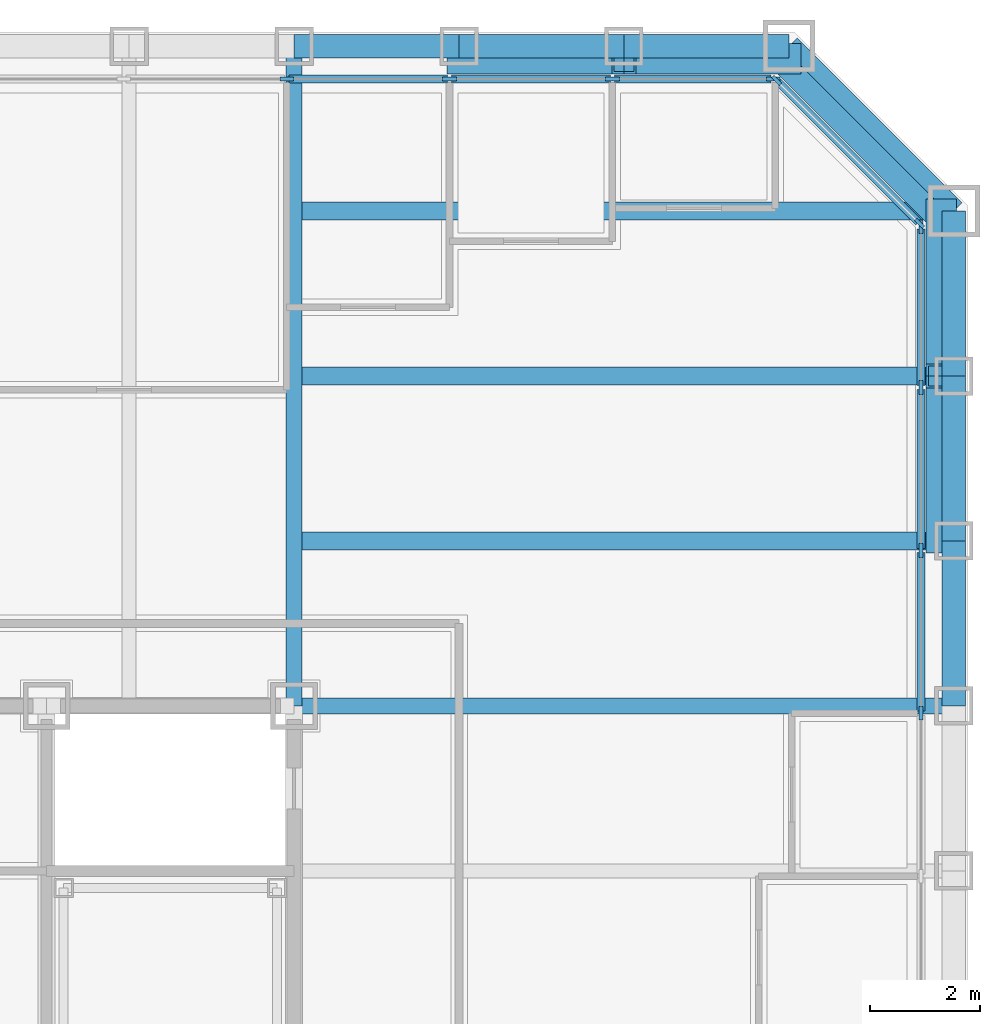
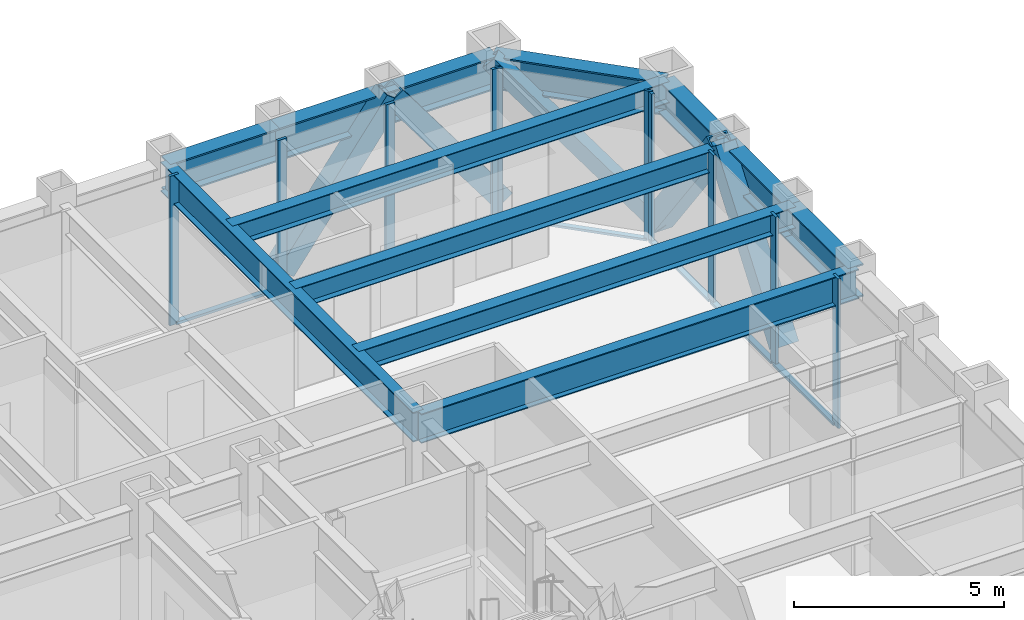
# One storey, part 6 of 16: 22 members, 12 beams, 3 elements without a shape of their own.
"""IFC4 building model written with IfcOpenShell, lengths in metres."""

from ifc_helpers import new_model, si_unit, direction, frame, origin, origin_2d, place, context, subcontext, project, spatial, rectangle, hollow_rectangle, i_section, extrude, material, layer, layer_set, material_profile, profile_set, type_object, element, aggregate, save


model = new_model("IFC4")

# Units and contexts
model_context = context("Model", 3, precision=1e-05, world=origin(), true_north=direction((0.0, 1.0)))
body_context = subcontext(model_context, "Body", "Model", "MODEL_VIEW")
ifc_project = project(units=[si_unit("LENGTHUNIT", "METRE"), si_unit("AREAUNIT", "SQUARE_METRE"), si_unit("VOLUMEUNIT", "CUBIC_METRE"), si_unit("PLANEANGLEUNIT", "RADIAN"), si_unit("MASSUNIT", "GRAM", prefix="KILO")], contexts=[model_context])

# Site, building, storey
site_placement = place(None, origin())
site = spatial("IfcSite", under=ifc_project, at=site_placement, CompositionType="ELEMENT")
building_placement = place(site_placement, origin())
building = spatial("IfcBuilding", under=site, at=building_placement, Name="Chuquiago Exchange Tower", CompositionType="ELEMENT")
storey_placement = place(building_placement, frame((0.0, 0.0, 60.300048828125)))
storey = spatial("IfcBuildingStorey", under=building, at=storey_placement, Name="L12", CompositionType="ELEMENT", Elevation=60.300048828125)

# Beams
ifc_material_1 = material(Name="Steel ASTM A992", Category="steel")
ifc_material_profile_1 = material_profile(ifc_material_1, i_section(OverallWidth=0.3251953125, OverallDepth=0.6171875, WebThickness=0.013916015625, FlangeThickness=0.021484375, at=origin_2d()), Name="W24X117")
ifc_profile_set_1 = profile_set([ifc_material_profile_1], Name="Steel ASTM A992")
beam_type_1 = type_object("IfcBeamType", Name="B5 W24X117", PredefinedType="BEAM", material=ifc_profile_set_1)
for number, where, z_axis, x_axis, name in (
    (1, (33.0, 36.0, 3.7314453125), (1.0, 0.0, 0.0), (0.0, 1.0, 0.0), "FB-L13-corner-33_36-45_36-0"),
    (2, (33.0, 39.0, 3.7314453125), (1.0, 0.0, 0.0), (0.0, 1.0, 0.0), "FB-L13-corner-33_39-45_39-0"),
    (3, (33.0, 42.0, 3.7314453125), (1.0, 0.0, 0.0), (0.0, 1.0, 0.0), "FB-L13-corner-33_42-45_42-0"),
):
    element("IfcBeam", number, at=place(storey_placement, frame(where, z_axis=z_axis, x_axis=x_axis)), inside=storey, type_object=beam_type_1, Name=name, PredefinedType="BEAM", context=body_context, shape_type="SweptSolid", body=[
        extrude(i_section(OverallWidth=0.3251953125, OverallDepth=0.6171875, WebThickness=0.013916015625, FlangeThickness=0.021484375, at=origin_2d()), origin(), (0.0, 0.0, 1.0), 12.0),
    ])

# Curtain wall, members
ifc_material_2 = material(Name="Aluminium curtain wall system", Category="aluminium")
ifc_layer_1 = layer(ifc_material_2, 0.25)
ifc_layer_set_1 = layer_set([ifc_layer_1], Name="CW1 trading floor curtain wall")
curtain_wall_type_1 = type_object("IfcCurtainWallType", Name="CW1 trading floor curtain wall", PredefinedType="NOTDEFINED", material=ifc_layer_set_1)
curtain_wall_1_placement = place(storey_placement, origin())
curtain_wall_1 = element("IfcCurtainWall", 4, at=curtain_wall_1_placement, inside=storey, type_object=curtain_wall_type_1, Name="CW1 curtain wall L12", PredefinedType="NOTDEFINED")
ifc_material_3 = material(Name="Aluminium mullion, pale anodised", Category="aluminium")
ifc_material_profile_2 = material_profile(ifc_material_3, rectangle(XDim=0.074951171875, YDim=0.25, at=origin_2d()), Name="AL 75x250")
ifc_profile_set_2 = profile_set([ifc_material_profile_2], Name="Aluminium mullion, pale anodised")
member_type_1 = type_object("IfcMemberType", Name="CW1-M mullion 75x250", PredefinedType="MULLION", material=ifc_profile_set_2)
member_1_placement = place(storey_placement, frame((44.39990234375, 32.8662109375, -0.300048828125), z_axis=(0.0, 0.0, 1.0), x_axis=(-1.0, 0.0, 0.0)))
member_1 = element("IfcMember", 5, at=member_1_placement, type_object=member_type_1, Name="CW1 mullion 11", PredefinedType="MULLION", context=body_context, shape_type="SweptSolid", body=[
    extrude(rectangle(XDim=0.074951171875, YDim=0.25, at=origin_2d()), origin(), (0.0, 0.0, 1.0), 4.340087890625),
])
member_2_placement = place(storey_placement, frame((44.39990234375, 35.827880859375, -0.300048828125), z_axis=(0.0, 0.0, 1.0), x_axis=(-1.0, 0.0, 0.0)))
member_2 = element("IfcMember", 6, at=member_2_placement, type_object=member_type_1, Name="CW1 mullion 12", PredefinedType="MULLION", context=body_context, shape_type="SweptSolid", body=[
    extrude(rectangle(XDim=0.074951171875, YDim=0.25, at=origin_2d()), origin(), (0.0, 0.0, 1.0), 4.340087890625),
])
member_3_placement = place(storey_placement, frame((44.39990234375, 38.789794921875, -0.300048828125), z_axis=(0.0, 0.0, 1.0), x_axis=(-1.0, 0.0, 0.0)))
member_3 = element("IfcMember", 7, at=member_3_placement, type_object=member_type_1, Name="CW1 mullion 13", PredefinedType="MULLION", context=body_context, shape_type="SweptSolid", body=[
    extrude(rectangle(XDim=0.074951171875, YDim=0.25, at=origin_2d()), origin(), (0.0, 0.0, 1.0), 4.340087890625),
])
member_4_placement = place(storey_placement, frame((44.39990234375, 41.714111328125, -0.300048828125), z_axis=(0.0, 0.0, 1.0), x_axis=(-1.0, 0.0, 0.0)))
member_4 = element("IfcMember", 8, at=member_4_placement, type_object=member_type_1, Name="CW1 mullion 14", PredefinedType="MULLION", context=body_context, shape_type="SweptSolid", body=[
    extrude(rectangle(XDim=0.074951171875, YDim=0.25, at=origin_2d()), origin(), (0.0, 0.0, 1.0), 4.340087890625),
])

curtain_wall_2_placement = place(storey_placement, origin())
curtain_wall_2 = element("IfcCurtainWall", 9, at=curtain_wall_2_placement, inside=storey, type_object=curtain_wall_type_1, Name="CW1 curtain wall L12", PredefinedType="NOTDEFINED")
member_5_placement = place(storey_placement, frame((41.714111328125, 44.39990234375, -0.300048828125), z_axis=(0.0, 0.0, 1.0), x_axis=(0.0, -1.0, 0.0)))
member_5 = element("IfcMember", 10, at=member_5_placement, type_object=member_type_1, Name="CW1 mullion 1", PredefinedType="MULLION", context=body_context, shape_type="SweptSolid", body=[
    extrude(rectangle(XDim=0.074951171875, YDim=0.25, at=origin_2d()), origin(), (0.0, 0.0, 1.0), 4.340087890625),
])
member_6_placement = place(storey_placement, frame((38.789794921875, 44.39990234375, -0.300048828125), z_axis=(0.0, 0.0, 1.0), x_axis=(0.0, -1.0, 0.0)))
member_6 = element("IfcMember", 11, at=member_6_placement, type_object=member_type_1, Name="CW1 mullion 2", PredefinedType="MULLION", context=body_context, shape_type="SweptSolid", body=[
    extrude(rectangle(XDim=0.074951171875, YDim=0.25, at=origin_2d()), origin(), (0.0, 0.0, 1.0), 4.340087890625),
])
member_7_placement = place(storey_placement, frame((35.827880859375, 44.39990234375, -0.300048828125), z_axis=(0.0, 0.0, 1.0), x_axis=(0.0, -1.0, 0.0)))
member_7 = element("IfcMember", 12, at=member_7_placement, type_object=member_type_1, Name="CW1 mullion 3", PredefinedType="MULLION", context=body_context, shape_type="SweptSolid", body=[
    extrude(rectangle(XDim=0.074951171875, YDim=0.25, at=origin_2d()), origin(), (0.0, 0.0, 1.0), 4.340087890625),
])
member_8_placement = place(storey_placement, frame((32.8662109375, 44.39990234375, -0.300048828125), z_axis=(0.0, 0.0, 1.0), x_axis=(0.0, -1.0, 0.0)))
member_8 = element("IfcMember", 13, at=member_8_placement, type_object=member_type_1, Name="CW1 mullion 4", PredefinedType="MULLION", context=body_context, shape_type="SweptSolid", body=[
    extrude(rectangle(XDim=0.074951171875, YDim=0.25, at=origin_2d()), origin(), (0.0, 0.0, 1.0), 4.340087890625),
])

# Member
ifc_material_4 = material(Name="Aluminium transom, pale anodised", Category="aluminium")
ifc_material_profile_3 = material_profile(ifc_material_4, rectangle(XDim=0.14990234375, YDim=0.074951171875, at=origin_2d()), Name="AL 150x75")
ifc_profile_set_3 = profile_set([ifc_material_profile_3], Name="Aluminium transom, pale anodised")
member_type_2 = type_object("IfcMemberType", Name="CW1-T transom 75x150", PredefinedType="MULLION", material=ifc_profile_set_3)
member_9_placement = place(storey_placement, frame((44.39990234375, 32.90380859375, -0.262451171875), z_axis=(0.0, 1.0, 0.0), x_axis=(-1.0, 0.0, 0.0)))
member_9 = element("IfcMember", 14, at=member_9_placement, type_object=member_type_2, Name="CW1 transom 11.1", PredefinedType="MULLION", context=body_context, shape_type="SweptSolid", body=[
    extrude(rectangle(XDim=0.14990234375, YDim=0.074951171875, at=origin_2d()), origin(), (0.0, 0.0, 1.0), 2.88671875),
])

member_10_placement = place(storey_placement, frame((44.39990234375, 35.865478515625, -0.262451171875), z_axis=(0.0, 1.0, 0.0), x_axis=(-1.0, 0.0, 0.0)))
member_10 = element("IfcMember", 15, at=member_10_placement, type_object=member_type_2, Name="CW1 transom 12.1", PredefinedType="MULLION", context=body_context, shape_type="SweptSolid", body=[
    extrude(rectangle(XDim=0.14990234375, YDim=0.074951171875, at=origin_2d()), origin(), (0.0, 0.0, 1.0), 2.88671875),
])

member_11_placement = place(storey_placement, frame((44.39990234375, 38.8271484375, -0.262451171875), z_axis=(0.0, 1.0, 0.0), x_axis=(-1.0, 0.0, 0.0)))
member_11 = element("IfcMember", 16, at=member_11_placement, type_object=member_type_2, Name="CW1 transom 13.1", PredefinedType="MULLION", context=body_context, shape_type="SweptSolid", body=[
    extrude(rectangle(XDim=0.14990234375, YDim=0.074951171875, at=origin_2d()), origin(), (0.0, 0.0, 1.0), 2.849365234375),
])

aggregate(curtain_wall_1, [member_1, member_2, member_3, member_4, member_9, member_10, member_11])

member_12_placement = place(storey_placement, frame((41.676513671875, 44.39990234375, -0.262451171875), z_axis=(-1.0, 0.0, 0.0), x_axis=(0.0, -1.0, 0.0)))
member_12 = element("IfcMember", 17, at=member_12_placement, type_object=member_type_2, Name="CW1 transom 1.1", PredefinedType="MULLION", context=body_context, shape_type="SweptSolid", body=[
    extrude(rectangle(XDim=0.14990234375, YDim=0.074951171875, at=origin_2d()), origin(), (0.0, 0.0, 1.0), 2.849365234375),
])

member_13_placement = place(storey_placement, frame((38.752197265625, 44.39990234375, -0.262451171875), z_axis=(-1.0, 0.0, 0.0), x_axis=(0.0, -1.0, 0.0)))
member_13 = element("IfcMember", 18, at=member_13_placement, type_object=member_type_2, Name="CW1 transom 2.1", PredefinedType="MULLION", context=body_context, shape_type="SweptSolid", body=[
    extrude(rectangle(XDim=0.14990234375, YDim=0.074951171875, at=origin_2d()), origin(), (0.0, 0.0, 1.0), 2.88671875),
])

member_14_placement = place(storey_placement, frame((35.79052734375, 44.39990234375, -0.262451171875), z_axis=(-1.0, 0.0, 0.0), x_axis=(0.0, -1.0, 0.0)))
member_14 = element("IfcMember", 19, at=member_14_placement, type_object=member_type_2, Name="CW1 transom 3.1", PredefinedType="MULLION", context=body_context, shape_type="SweptSolid", body=[
    extrude(rectangle(XDim=0.14990234375, YDim=0.074951171875, at=origin_2d()), origin(), (0.0, 0.0, 1.0), 2.88671875),
])

aggregate(curtain_wall_2, [member_5, member_6, member_7, member_8, member_12, member_13, member_14])

# Curtain wall, members
ifc_material_5 = material(Name="Aluminium curtain wall system", Category="aluminium")
ifc_layer_2 = layer(ifc_material_5, 0.199951171875)
ifc_layer_set_2 = layer_set([ifc_layer_2], Name="CW3 facet curtain wall")
curtain_wall_type_2 = type_object("IfcCurtainWallType", Name="CW3 facet curtain wall", PredefinedType="NOTDEFINED", material=ifc_layer_set_2)
curtain_wall_3_placement = place(storey_placement, origin())
curtain_wall_3 = element("IfcCurtainWall", 20, at=curtain_wall_3_placement, inside=storey, type_object=curtain_wall_type_2, Name="CW3 curtain wall L12", PredefinedType="NOTDEFINED")
ifc_material_6 = material(Name="Aluminium mullion, pale anodised", Category="aluminium")
ifc_material_profile_4 = material_profile(ifc_material_6, rectangle(XDim=0.06494140625, YDim=0.199951171875, at=origin_2d()), Name="AL 65x200")
ifc_profile_set_4 = profile_set([ifc_material_profile_4], Name="Aluminium mullion, pale anodised")
member_type_3 = type_object("IfcMemberType", Name="CW3-M mullion 65x200", PredefinedType="MULLION", material=ifc_profile_set_4)
member_15_placement = place(storey_placement, frame((44.376953125, 41.7744140625, -0.300048828125), z_axis=(0.0, 0.0, 1.0), x_axis=(-0.707106781187, -0.707106781187, 0.0)))
member_15 = element("IfcMember", 21, at=member_15_placement, type_object=member_type_3, Name="CW3 mullion 1", PredefinedType="MULLION", context=body_context, shape_type="SweptSolid", body=[
    extrude(rectangle(XDim=0.06494140625, YDim=0.199951171875, at=origin_2d()), origin(), (0.0, 0.0, 1.0), 4.340087890625),
])
member_16_placement = place(storey_placement, frame((41.7744140625, 44.376953125, -0.300048828125), z_axis=(0.0, 0.0, 1.0), x_axis=(-0.707106781187, -0.707106781187, 0.0)))
member_16 = element("IfcMember", 22, at=member_16_placement, type_object=member_type_3, Name="CW3 mullion 2", PredefinedType="MULLION", context=body_context, shape_type="SweptSolid", body=[
    extrude(rectangle(XDim=0.06494140625, YDim=0.199951171875, at=origin_2d()), origin(), (0.0, 0.0, 1.0), 4.340087890625),
])
ifc_material_7 = material(Name="Aluminium transom, pale anodised", Category="aluminium")
ifc_material_profile_5 = material_profile(ifc_material_7, rectangle(XDim=0.139892578125, YDim=0.06494140625, at=origin_2d()), Name="AL 140x65")
ifc_profile_set_5 = profile_set([ifc_material_profile_5], Name="Aluminium transom, pale anodised")
member_type_4 = type_object("IfcMemberType", Name="CW3-T transom 65x140", PredefinedType="MULLION", material=ifc_profile_set_5)
member_17_placement = place(storey_placement, frame((44.35400390625, 41.79736328125, -0.267578125), z_axis=(-0.707106781187, 0.707106781187, 0.0), x_axis=(-0.707106781187, -0.707106781187, 0.0)))
member_17 = element("IfcMember", 23, at=member_17_placement, type_object=member_type_4, Name="CW3 transom 1.1", PredefinedType="MULLION", context=body_context, shape_type="SweptSolid", body=[
    extrude(rectangle(XDim=0.139892578125, YDim=0.06494140625, at=origin_2d()), origin(), (0.0, 0.0, 1.0), 3.61572265625),
])
aggregate(curtain_wall_3, [member_15, member_16, member_17])

# Beams
ifc_material_8 = material(Name="Steel ASTM A992", Category="steel")
ifc_material_profile_6 = material_profile(ifc_material_8, i_section(OverallWidth=0.2919921875, OverallDepth=0.8583984375, WebThickness=0.01708984375, FlangeThickness=0.031005859375, at=origin_2d()), Name="W33X169")
ifc_profile_set_6 = profile_set([ifc_material_profile_6], Name="Steel ASTM A992")
beam_type_2 = type_object("IfcBeamType", Name="G2 W33X169", PredefinedType="BEAM", material=ifc_profile_set_6)
for number, where, z_axis, x_axis, name in (
    (24, (33.0, 33.0, 3.610595703125), (0.0, 1.0, 0.0), (-1.0, 0.0, 0.0), "FB-L13-girder-33_33-33_45-0"),
    (25, (33.0, 33.0, 3.610595703125), (1.0, 0.0, 0.0), (0.0, 1.0, 0.0), "FB-L13-girder-33_33-45_33-0"),
):
    element("IfcBeam", number, at=place(storey_placement, frame(where, z_axis=z_axis, x_axis=x_axis)), inside=storey, type_object=beam_type_2, Name=name, PredefinedType="BEAM", context=body_context, shape_type="SweptSolid", body=[
        extrude(i_section(OverallWidth=0.2919921875, OverallDepth=0.8583984375, WebThickness=0.01708984375, FlangeThickness=0.031005859375, at=origin_2d()), origin(), (0.0, 0.0, 1.0), 12.0),
    ])

# Members
ifc_material_9 = material(Name="Steel ASTM A500 Grade C", Category="steel")
ifc_material_profile_7 = material_profile(ifc_material_9, hollow_rectangle(XDim=0.406494140625, YDim=0.406494140625, WallThickness=0.0146484375, at=origin_2d()), Name="HSS16X16X5/8")
ifc_profile_set_7 = profile_set([ifc_material_profile_7], Name="Steel ASTM A500 Grade C")
member_type_5 = type_object("IfcMemberType", Name="LB4 HSS16X16X5/8", PredefinedType="BRACE", material=ifc_profile_set_7)
member_18_placement = place(storey_placement, frame((44.78662109375, 41.78662109375, 0.0), z_axis=(-0.512077265487, 0.512077265487, 0.689604051861), x_axis=(-0.707106781187, -0.707106781187, 0.0)))
element("IfcMember", 26, at=member_18_placement, inside=storey, type_object=member_type_5, Name="LB-L12-45_42-42_45", PredefinedType="BRACE", context=body_context, shape_type="SweptSolid", body=[
    extrude(hollow_rectangle(XDim=0.406494140625, YDim=0.406494140625, WallThickness=0.0146484375, at=origin_2d()), origin(), (0.0, 0.0, 1.0), 5.8583984375),
])
ifc_material_10 = material(Name="Steel ASTM A572 Grade 50", Category="steel")
ifc_material_profile_8 = material_profile(ifc_material_10, hollow_rectangle(XDim=0.550048828125, YDim=0.550048828125, WallThickness=0.044921875, at=origin_2d()), Name="BOX550X550X45")
ifc_profile_set_8 = profile_set([ifc_material_profile_8], Name="Steel ASTM A572 Grade 50")
member_type_6 = type_object("IfcMemberType", Name="MB1 BOX550X550X45", PredefinedType="BRACE", material=ifc_profile_set_8)
for number, where, z_axis, x_axis, name in (
    (27, (44.77001953125, 36.0, 0.0), (0.0, 0.596173923302, 0.802855312728), (-1.0, 0.0, 0.0), "Mega diagonal L12 E face"),
    (28, (44.77001953125, 42.0, 0.0), (0.0, -0.596173923302, 0.802855312728), (1.0, 0.0, 0.0), "Mega diagonal L12 E face"),
    (29, (42.0, 44.77001953125, 0.0), (-0.596173923302, 0.0, 0.802855312728), (0.0, -1.0, 0.0), "Mega diagonal L12 N face"),
    (30, (36.0, 44.77001953125, 0.0), (0.596173923302, 0.0, 0.802855312728), (0.0, 1.0, 0.0), "Mega diagonal L12 N face"),
):
    element("IfcMember", number, at=place(storey_placement, frame(where, z_axis=z_axis, x_axis=x_axis)), inside=storey, type_object=member_type_6, Name=name, PredefinedType="BRACE", context=body_context, shape_type="SweptSolid", body=[
        extrude(hollow_rectangle(XDim=0.550048828125, YDim=0.550048828125, WallThickness=0.044921875, at=origin_2d()), origin(), (0.0, 0.0, 1.0), 5.031982421875),
    ])

# Beams
ifc_material_11 = material(Name="Steel ASTM A992", Category="steel")
ifc_material_profile_9 = material_profile(ifc_material_11, i_section(OverallWidth=0.424072265625, OverallDepth=0.947509765625, WebThickness=0.02392578125, FlangeThickness=0.042724609375, at=origin_2d()), Name="W36X302")
ifc_profile_set_9 = profile_set([ifc_material_profile_9], Name="Steel ASTM A992")
beam_type_3 = type_object("IfcBeamType", Name="SP1 W36X302", PredefinedType="SPANDREL", material=ifc_profile_set_9)
for number, where, z_axis, x_axis, name in (
    (31, (45.0, 33.0, 3.566162109375), (0.0, 1.0, 0.0), (-1.0, 0.0, 0.0), "SPB-L13-45_33-45_36"),
    (32, (45.0, 36.0, 3.566162109375), (0.0, 1.0, 0.0), (-1.0, 0.0, 0.0), "SPB-L13-45_36-45_39"),
    (33, (45.0, 39.0, 3.566162109375), (0.0, 1.0, 0.0), (-1.0, 0.0, 0.0), "SPB-L13-45_39-45_42"),
):
    element("IfcBeam", number, at=place(storey_placement, frame(where, z_axis=z_axis, x_axis=x_axis)), inside=storey, type_object=beam_type_3, Name=name, PredefinedType="SPANDREL", context=body_context, shape_type="SweptSolid", body=[
        extrude(i_section(OverallWidth=0.424072265625, OverallDepth=0.947509765625, WebThickness=0.02392578125, FlangeThickness=0.042724609375, at=origin_2d()), origin(), (0.0, 0.0, 1.0), 3.0),
    ])
beam_placement = place(storey_placement, frame((45.0, 42.0, 3.566162109375), z_axis=(-0.707106781187, 0.707106781187, 0.0), x_axis=(-0.707106781187, -0.707106781187, 0.0)))
element("IfcBeam", 34, at=beam_placement, inside=storey, type_object=beam_type_3, Name="SPB-L13-45_42-42_45", PredefinedType="SPANDREL", context=body_context, shape_type="SweptSolid", body=[
    extrude(i_section(OverallWidth=0.424072265625, OverallDepth=0.947509765625, WebThickness=0.02392578125, FlangeThickness=0.042724609375, at=origin_2d()), origin(), (0.0, 0.0, 1.0), 4.24267578125),
])
for number, where, z_axis, x_axis, name in (
    (35, (42.0, 45.0, 3.566162109375), (-1.0, 0.0, 0.0), (0.0, -1.0, 0.0), "SPB-L13-42_45-39_45"),
    (36, (39.0, 45.0, 3.566162109375), (-1.0, 0.0, 0.0), (0.0, -1.0, 0.0), "SPB-L13-39_45-36_45"),
    (37, (36.0, 45.0, 3.566162109375), (-1.0, 0.0, 0.0), (0.0, -1.0, 0.0), "SPB-L13-36_45-33_45"),
):
    element("IfcBeam", number, at=place(storey_placement, frame(where, z_axis=z_axis, x_axis=x_axis)), inside=storey, type_object=beam_type_3, Name=name, PredefinedType="SPANDREL", context=body_context, shape_type="SweptSolid", body=[
        extrude(i_section(OverallWidth=0.424072265625, OverallDepth=0.947509765625, WebThickness=0.02392578125, FlangeThickness=0.042724609375, at=origin_2d()), origin(), (0.0, 0.0, 1.0), 3.0),
    ])

save(model, "model.ifc")
